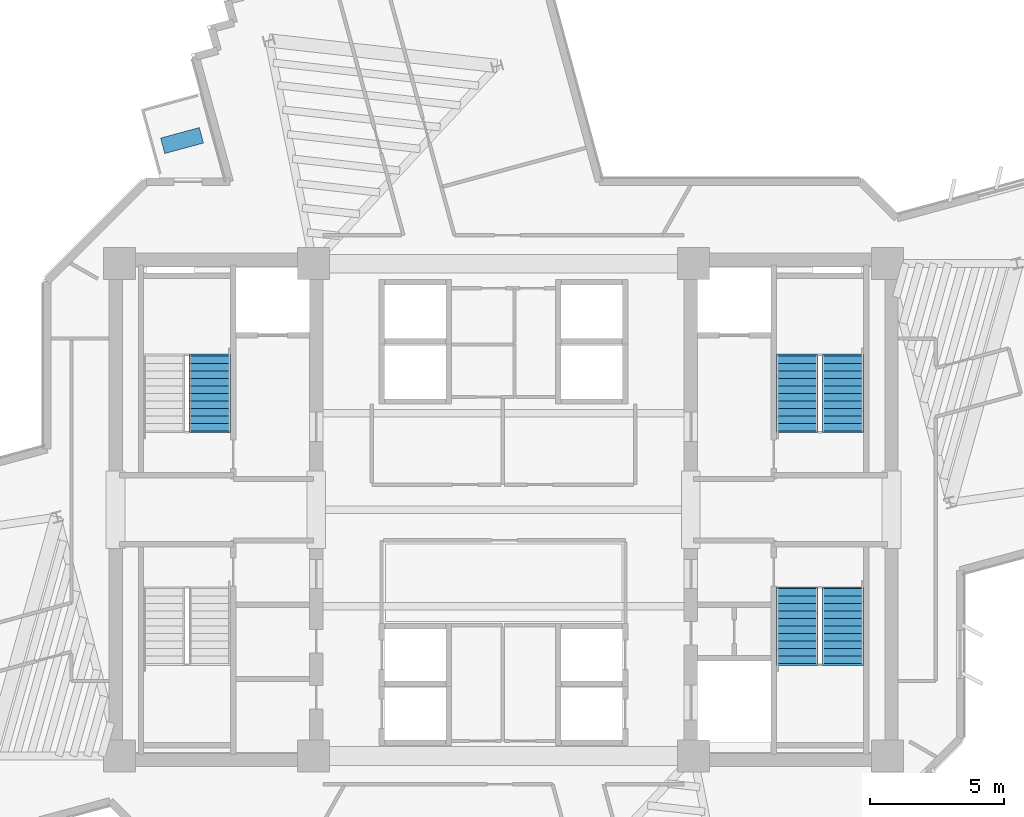
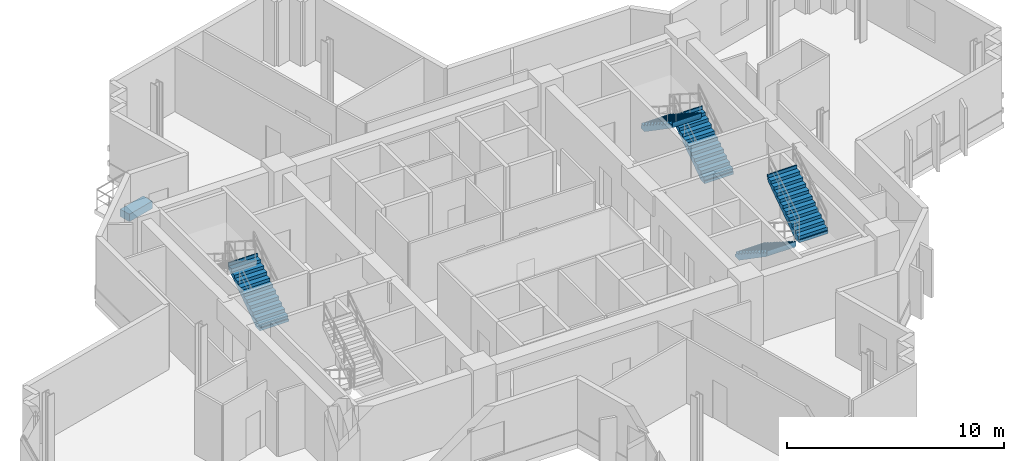
# One storey, part 12 of 15: 5 stair flights, 1 discrete accessory, 3 elements without a shape of their own.
"""IFC4 building model written with IfcOpenShell, lengths in metres."""

import ifcopenshell
import ifcopenshell.guid

model = None  # the IFC model being written
_history = None  # IfcOwnerHistory: only IFC2X3 demands one
_inside = {}  # id of a spatial element -> (the spatial element, [elements in it])
_under = {}  # id of a project, library or spatial element -> (it, [spatial elements below it])
_declared = {}  # id of a project -> (the project, [libraries it declares])
_typed = {}  # id of a type object -> (the type object, [elements of that type])
_made_of = {}  # id of a material, layer set ... -> (it, [elements and type objects made of it])


def new_model(schema):
    """Start an empty IFC model of exactly this schema.

    Asked for "IFC4X3", IfcOpenShell would pick the latest addendum, in which some entities
    have other attributes; the version numbers below select the first issue.
    IFC2X3 requires an IfcOwnerHistory on every rooted entity: one is made here for all.
    """
    global model, _history
    if schema == "IFC4X3":
        model = ifcopenshell.file(schema_version=(4, 3, 0, 0))
    else:
        model = ifcopenshell.file(schema=schema)
    _inside.clear()
    _under.clear()
    _declared.clear()
    _typed.clear()
    _made_of.clear()
    _history = None
    if model.schema == "IFC2X3":
        org = make("IfcOrganization", Name="unknown")
        user = make(
            "IfcPersonAndOrganization",
            ThePerson=make("IfcPerson", FamilyName="unknown"),
            TheOrganization=org,
        )
        app = make(
            "IfcApplication",
            ApplicationDeveloper=org,
            Version="unknown",
            ApplicationFullName="unknown",
            ApplicationIdentifier="unknown",
        )
        _history = make(
            "IfcOwnerHistory",
            OwningUser=user,
            OwningApplication=app,
            ChangeAction="ADDED",
            CreationDate=0,
        )
    return model


def make(cls, **values):
    """One entity of the class cls with the attributes given. An attribute that is None is left unset."""
    return model.create_entity(
        cls, **{name: value for name, value in values.items() if value is not None}
    )


def rooted(cls, **values):
    """An entity with a GlobalId (a new one), such as an element, a storey or a relation."""
    return make(cls, GlobalId=ifcopenshell.guid.new(), OwnerHistory=_history, **values)


def si_unit(unit_type, name, prefix=None):
    """IfcSIUnit, for example si_unit("LENGTHUNIT", "METRE", prefix="MILLI")."""
    return make("IfcSIUnit", UnitType=unit_type, Prefix=prefix, Name=name)


def assignment(units):
    """IfcUnitAssignment: the units of a project."""
    return None if units is None else make("IfcUnitAssignment", Units=units)


def point(xyz):
    """IfcCartesianPoint."""
    return None if xyz is None else make("IfcCartesianPoint", Coordinates=xyz)


def direction(xyz):
    """IfcDirection."""
    return None if xyz is None else make("IfcDirection", DirectionRatios=xyz)


def frame(location, z_axis=None, x_axis=None):
    """IfcAxis2Placement3D, a coordinate frame: its origin and axes. An axis left out is left unset."""
    return make(
        "IfcAxis2Placement3D",
        Location=point(location),
        Axis=direction(z_axis),
        RefDirection=direction(x_axis),
    )


def frame_2d(location, x_axis=None):
    """IfcAxis2Placement2D, a coordinate frame in the plane: its origin and x axis."""
    return make(
        "IfcAxis2Placement2D", Location=point(location), RefDirection=direction(x_axis)
    )


def origin():
    """The frame at (0, 0, 0) with its axes left unset."""
    return frame((0.0, 0.0, 0.0))


def origin_2d():
    """The frame at (0, 0) in the plane with its x axis left unset."""
    return frame_2d((0.0, 0.0))


def place(relative_to, where):
    """IfcLocalPlacement: puts the frame where relative to a parent placement (None: the world)."""
    return make(
        "IfcLocalPlacement", PlacementRelTo=relative_to, RelativePlacement=where
    )


def context(
    kind, dimensions, precision=None, world=None, true_north=None, identifier=None
):
    """IfcGeometricRepresentationContext, for example the 3D "Model" context."""
    return make(
        "IfcGeometricRepresentationContext",
        ContextIdentifier=identifier,
        ContextType=kind,
        CoordinateSpaceDimension=dimensions,
        Precision=precision,
        WorldCoordinateSystem=world,
        TrueNorth=true_north,
    )


def subcontext(parent, identifier, kind, view, scale=None):
    """IfcGeometricRepresentationSubContext, for example "Body" below "Model"."""
    return make(
        "IfcGeometricRepresentationSubContext",
        ContextIdentifier=identifier,
        ContextType=kind,
        ParentContext=parent,
        TargetScale=scale,
        TargetView=view,
    )


def project(units=None, contexts=None):
    """IfcProject with its units and contexts."""
    return rooted(
        "IfcProject",
        Name="project",
        RepresentationContexts=contexts,
        UnitsInContext=assignment(units),
    )


def spatial(cls, under=None, at=None, **own):
    """A site, building, storey or space (cls), placed at a placement, below another one or the project."""
    s = rooted(cls, ObjectPlacement=at, **own)
    if under is not None:
        _under.setdefault(under.id(), (under, []))[1].append(s)
    return s


def polyline(points):
    """IfcPolyline through the points."""
    return make("IfcPolyline", Points=[point(p) for p in points])


def profile(cls, at=None, kind="AREA", **sizes):
    """A parametric profile (cls). Its sizes go by their IFC names, for example OverallWidth=200.0."""
    return make(cls, ProfileType=kind, Position=at, **sizes)


def rectangle(**sizes):
    """IfcRectangleProfileDef."""
    return profile("IfcRectangleProfileDef", **sizes)


def outline(outer, holes=None, kind="AREA"):
    """IfcArbitraryClosedProfileDef: a profile drawn as a closed curve; with holes, ...WithVoids."""
    if holes is None:
        return make("IfcArbitraryClosedProfileDef", ProfileType=kind, OuterCurve=outer)
    return make(
        "IfcArbitraryProfileDefWithVoids",
        ProfileType=kind,
        OuterCurve=outer,
        InnerCurves=holes,
    )


def extrude(swept, where, along, depth):
    """IfcExtrudedAreaSolid: the profile swept, set in the frame where, extruded along a direction by depth."""
    return make(
        "IfcExtrudedAreaSolid",
        SweptArea=swept,
        Position=where,
        ExtrudedDirection=direction(along),
        Depth=depth,
    )


def shape(context_of_items, identifier, shape_type, items):
    """IfcShapeRepresentation: the items that make up one representation, for example the "Body"."""
    return make(
        "IfcShapeRepresentation",
        ContextOfItems=context_of_items,
        RepresentationIdentifier=identifier,
        RepresentationType=shape_type,
        Items=items,
    )


def source(mapping_origin, context_of_items, identifier, shape_type, items):
    """IfcRepresentationMap: a shape defined once, which mapped items show again and again."""
    return make(
        "IfcRepresentationMap",
        MappingOrigin=mapping_origin,
        MappedRepresentation=shape(context_of_items, identifier, shape_type, items),
    )


def transform(
    local_origin,
    x_axis=None,
    y_axis=None,
    z_axis=None,
    scale=None,
    scale2=None,
    scale3=None,
    uniform=True,
):
    """IfcCartesianTransformationOperator3D, or its non-uniform kind. x_axis, y_axis, z_axis: its Axis1, 2, 3."""
    if uniform:
        return make(
            "IfcCartesianTransformationOperator3D",
            Axis1=direction(x_axis),
            Axis2=direction(y_axis),
            LocalOrigin=point(local_origin),
            Scale=scale,
            Axis3=direction(z_axis),
        )
    return make(
        "IfcCartesianTransformationOperator3DnonUniform",
        Axis1=direction(x_axis),
        Axis2=direction(y_axis),
        LocalOrigin=point(local_origin),
        Scale=scale,
        Axis3=direction(z_axis),
        Scale2=scale2,
        Scale3=scale3,
    )


def mapped(mapping_source, mapping_target):
    """IfcMappedItem: shows the shape of a source again, moved by a transform."""
    return make(
        "IfcMappedItem", MappingSource=mapping_source, MappingTarget=mapping_target
    )


def material(Name=None, Category=None):
    """IfcMaterial."""
    return make("IfcMaterial", Name=Name, Category=Category)


def made_of(thing, what):
    """Note that an element or type object is made of a material, layer set ...; save() writes the relation."""
    if what is not None:
        _made_of.setdefault(what.id(), (what, []))[1].append(thing)
    return thing


def type_object(cls, material=None, **own):
    """A type object (cls), such as IfcWallType, which elements share."""
    return made_of(rooted(cls, **own), material)


def element(
    cls,
    number,
    at=None,
    inside=None,
    cuts=None,
    type_object=None,
    material=None,
    context=None,
    identifier="Body",
    shape_type=None,
    held_by="IfcProductDefinitionShape",
    body=None,
    shapes=None,
    **own,
):
    """One element of the class cls, such as IfcWall. Its Tag is "e" and its number.

    at: its placement. inside: the storey or other place that contains it. cuts: it is an
    opening in that element (IfcRelVoidsElement). A single representation is given by context,
    identifier, shape_type and body (its items); several are given by shapes. held_by: the class
    of the entity that holds the representations. save() writes the other relations.
    """
    e = rooted(cls, Tag="e%d" % number, ObjectPlacement=at, **own)
    if body is not None:
        shapes = [shape(context, identifier, shape_type, body)]
    if shapes is not None:
        e.Representation = make(held_by, Representations=shapes)
    if inside is not None:
        _inside.setdefault(inside.id(), (inside, []))[1].append(e)
    if cuts is not None:
        rooted(
            "IfcRelVoidsElement", RelatingBuildingElement=cuts, RelatedOpeningElement=e
        )
    if type_object is not None:
        _typed.setdefault(type_object.id(), (type_object, []))[1].append(e)
    return made_of(e, material)


def aggregate(whole, parts):
    """IfcRelAggregates: a whole, such as a stair, and the parts it consists of."""
    return rooted("IfcRelAggregates", RelatingObject=whole, RelatedObjects=parts)


def save(model, path):
    """Write the relations noted so far, then the file.

    IfcRelAggregates (storeys below a building ...), IfcRelContainedInSpatialStructure (elements
    in a storey), IfcRelDefinesByType, IfcRelAssociatesMaterial and IfcRelDeclares: one each for
    every whole, place, type object, material and project.
    """
    for whole, parts in _under.values():
        aggregate(whole, parts)
    for where, things in _inside.values():
        rooted(
            "IfcRelContainedInSpatialStructure",
            RelatedElements=things,
            RelatingStructure=where,
        )
    for kind, things in _typed.values():
        rooted("IfcRelDefinesByType", RelatedObjects=things, RelatingType=kind)
    for what, things in _made_of.values():
        rooted("IfcRelAssociatesMaterial", RelatedObjects=things, RelatingMaterial=what)
    for by, libraries in _declared.values():
        rooted("IfcRelDeclares", RelatingContext=by, RelatedDefinitions=libraries)
    model.write(path)


model = new_model("IFC4")

# Units and contexts
model_context = context("Model", 3, precision=1e-05, world=origin(), true_north=direction((0.0, 1.0)))
body_context = subcontext(model_context, "Body", "Model", "MODEL_VIEW")
ifc_project = project(units=[si_unit("LENGTHUNIT", "METRE"), si_unit("AREAUNIT", "SQUARE_METRE"), si_unit("VOLUMEUNIT", "CUBIC_METRE"), si_unit("PLANEANGLEUNIT", "RADIAN"), si_unit("MASSUNIT", "GRAM", prefix="KILO")], contexts=[model_context])

# Site, building, storey
site_placement = place(None, origin())
site = spatial("IfcSite", under=ifc_project, at=site_placement, CompositionType="ELEMENT")
building_placement = place(site_placement, origin())
building = spatial("IfcBuilding", under=site, at=building_placement, Name="Zahravan Cultural Tower", CompositionType="ELEMENT")
storey_placement = place(building_placement, frame((0.0, 0.0, 198.0)))
storey = spatial("IfcBuildingStorey", under=building, at=storey_placement, Name="L46", CompositionType="ELEMENT", Elevation=198.0)

# Stair, stair flight
ifc_material_1 = material(Name="Concrete C45/55", Category="concrete")
stair_type = type_object("IfcStairType", Name="STR-DL-1550-390", PredefinedType="HALF_TURN_STAIR", material=ifc_material_1)
stair_1_placement = place(storey_placement, origin())
stair_1 = element("IfcStair", 1, at=stair_1_placement, inside=storey, type_object=stair_type, Name="L46 West Core North Exit Stair ST-W1", PredefinedType="HALF_TURN_STAIR")
stair_flight_type = type_object("IfcStairFlightType", Name="FLG-DL-1550-390", PredefinedType="STRAIGHT", material=ifc_material_1)
stair_flight_1_placement = place(storey_placement, frame((25.02490234375, 29.949951171875, 0.0), z_axis=(0.0, 0.0, 1.0), x_axis=(0.0, 1.0, 0.0)))
stair_flight_1 = element("IfcStairFlight", 2, at=stair_flight_1_placement, type_object=stair_flight_type, Name="ST-W1 flight 1", NumberOfRisers=11, NumberOfTreads=10, PredefinedType="STRAIGHT", RiserHeight=0.177272727, TreadLength=0.28, context=body_context, shape_type="SweptSolid", body=[
    extrude(outline(polyline([(-0.06494140625, -0.139892578125), (-0.06494140625, 0.0), (0.0, 0.0), (0.0, 0.17724609375), (0.280029296875, 0.17724609375), (0.280029296875, 0.3544921875), (0.56005859375, 0.3544921875), (0.56005859375, 0.53173828125), (0.840087890625, 0.53173828125), (0.840087890625, 0.708984375), (1.1201171875, 0.708984375), (1.1201171875, 0.886474609375), (1.39990234375, 0.886474609375), (1.39990234375, 1.063720703125), (1.679931640625, 1.063720703125), (1.679931640625, 1.240966796875), (1.9599609375, 1.240966796875), (1.9599609375, 1.418212890625), (2.239990234375, 1.418212890625), (2.239990234375, 1.595458984375), (2.52001953125, 1.595458984375), (2.52001953125, 1.772705078125), (2.800048828125, 1.772705078125), (2.800048828125, 1.949951171875), (2.864990234375, 1.949951171875), (2.864990234375, 1.800048828125), (2.800048828125, 1.59521484375), (0.2802734375, -0.139892578125), (-0.06494140625, -0.139892578125)])), frame((0.0, 0.77490234375, 0.0), z_axis=(0.0, -1.0, 0.0), x_axis=(1.0, 0.0, 0.0)), (0.0, 0.0, 1.0), 1.550048828125),
])
aggregate(stair_1, [stair_flight_1])

# Stair, stair flights
stair_2_placement = place(storey_placement, origin())
stair_2 = element("IfcStair", 3, at=stair_2_placement, inside=storey, type_object=stair_type, Name="L46 East Core North Exit Stair ST-E1", PredefinedType="HALF_TURN_STAIR")
stair_flight_2_placement = place(storey_placement, frame((48.675048828125, 29.949951171875, 0.0), z_axis=(0.0, 0.0, 1.0), x_axis=(0.0, 1.0, 0.0)))
stair_flight_2 = element("IfcStairFlight", 4, at=stair_flight_2_placement, type_object=stair_flight_type, Name="ST-E1 flight 1", NumberOfRisers=11, NumberOfTreads=10, PredefinedType="STRAIGHT", RiserHeight=0.177272727, TreadLength=0.28, context=body_context, shape_type="SweptSolid", body=[
    extrude(outline(polyline([(-0.06494140625, -0.139892578125), (-0.06494140625, 0.0), (0.0, 0.0), (0.0, 0.17724609375), (0.280029296875, 0.17724609375), (0.280029296875, 0.3544921875), (0.56005859375, 0.3544921875), (0.56005859375, 0.53173828125), (0.840087890625, 0.53173828125), (0.840087890625, 0.708984375), (1.1201171875, 0.708984375), (1.1201171875, 0.886474609375), (1.39990234375, 0.886474609375), (1.39990234375, 1.063720703125), (1.679931640625, 1.063720703125), (1.679931640625, 1.240966796875), (1.9599609375, 1.240966796875), (1.9599609375, 1.418212890625), (2.239990234375, 1.418212890625), (2.239990234375, 1.595458984375), (2.52001953125, 1.595458984375), (2.52001953125, 1.772705078125), (2.800048828125, 1.772705078125), (2.800048828125, 1.949951171875), (2.864990234375, 1.949951171875), (2.864990234375, 1.800048828125), (2.800048828125, 1.59521484375), (0.2802734375, -0.139892578125), (-0.06494140625, -0.139892578125)])), frame((0.0, 0.77490234375, 0.0), z_axis=(0.0, -1.0, 0.0), x_axis=(1.0, 0.0, 0.0)), (0.0, 0.0, 1.0), 1.550048828125),
])
stair_flight_3_placement = place(storey_placement, frame((46.97509765625, 32.75, 1.949951171875), z_axis=(0.0, 0.0, 1.0), x_axis=(0.0, -1.0, 0.0)))
stair_flight_3 = element("IfcStairFlight", 5, at=stair_flight_3_placement, type_object=stair_flight_type, Name="ST-E1 flight 2", NumberOfRisers=11, NumberOfTreads=10, PredefinedType="STRAIGHT", RiserHeight=0.177272727, TreadLength=0.28, context=body_context, shape_type="SweptSolid", body=[
    extrude(outline(polyline([(-0.06494140625, -0.139892578125), (-0.06494140625, 0.0), (0.0, 0.0), (0.0, 0.17724609375), (0.280029296875, 0.17724609375), (0.280029296875, 0.3544921875), (0.56005859375, 0.3544921875), (0.56005859375, 0.53173828125), (0.840087890625, 0.53173828125), (0.840087890625, 0.708984375), (1.1201171875, 0.708984375), (1.1201171875, 0.886474609375), (1.39990234375, 0.886474609375), (1.39990234375, 1.063720703125), (1.679931640625, 1.063720703125), (1.679931640625, 1.240966796875), (1.9599609375, 1.240966796875), (1.9599609375, 1.418212890625), (2.239990234375, 1.418212890625), (2.239990234375, 1.595458984375), (2.52001953125, 1.595458984375), (2.52001953125, 1.772705078125), (2.800048828125, 1.772705078125), (2.800048828125, 1.949951171875), (2.864990234375, 1.949951171875), (2.864990234375, 1.800048828125), (2.800048828125, 1.59521484375), (0.2802734375, -0.139892578125), (-0.06494140625, -0.139892578125)])), frame((0.0, 0.77490234375, 0.0), z_axis=(0.0, -1.0, 0.0), x_axis=(1.0, 0.0, 0.0)), (0.0, 0.0, 1.0), 1.550048828125),
])
aggregate(stair_2, [stair_flight_2, stair_flight_3])

stair_3_placement = place(storey_placement, origin())
stair_3 = element("IfcStair", 6, at=stair_3_placement, inside=storey, type_object=stair_type, Name="L46 East Core South Exit Stair ST-E2", PredefinedType="HALF_TURN_STAIR")
stair_flight_4_placement = place(storey_placement, frame((46.97509765625, 24.050048828125, 0.0), z_axis=(0.0, 0.0, 1.0), x_axis=(0.0, -1.0, 0.0)))
stair_flight_4 = element("IfcStairFlight", 7, at=stair_flight_4_placement, type_object=stair_flight_type, Name="ST-E2 flight 1", NumberOfRisers=11, NumberOfTreads=10, PredefinedType="STRAIGHT", RiserHeight=0.177272727, TreadLength=0.28, context=body_context, shape_type="SweptSolid", body=[
    extrude(outline(polyline([(-0.06494140625, -0.139892578125), (-0.06494140625, 0.0), (0.0, 0.0), (0.0, 0.17724609375), (0.280029296875, 0.17724609375), (0.280029296875, 0.3544921875), (0.56005859375, 0.3544921875), (0.56005859375, 0.53173828125), (0.840087890625, 0.53173828125), (0.840087890625, 0.708984375), (1.1201171875, 0.708984375), (1.1201171875, 0.886474609375), (1.39990234375, 0.886474609375), (1.39990234375, 1.063720703125), (1.679931640625, 1.063720703125), (1.679931640625, 1.240966796875), (1.9599609375, 1.240966796875), (1.9599609375, 1.418212890625), (2.239990234375, 1.418212890625), (2.239990234375, 1.595458984375), (2.52001953125, 1.595458984375), (2.52001953125, 1.772705078125), (2.800048828125, 1.772705078125), (2.800048828125, 1.949951171875), (2.864990234375, 1.949951171875), (2.864990234375, 1.800048828125), (2.800048828125, 1.59521484375), (0.2802734375, -0.139892578125), (-0.06494140625, -0.139892578125)])), frame((0.0, 0.77490234375, 0.0), z_axis=(0.0, -1.0, 0.0), x_axis=(1.0, 0.0, 0.0)), (0.0, 0.0, 1.0), 1.550048828125),
])
stair_flight_5_placement = place(storey_placement, frame((48.675048828125, 21.25, 1.949951171875), z_axis=(0.0, 0.0, 1.0), x_axis=(0.0, 1.0, 0.0)))
stair_flight_5 = element("IfcStairFlight", 8, at=stair_flight_5_placement, type_object=stair_flight_type, Name="ST-E2 flight 2", NumberOfRisers=11, NumberOfTreads=10, PredefinedType="STRAIGHT", RiserHeight=0.177272727, TreadLength=0.28, context=body_context, shape_type="SweptSolid", body=[
    extrude(outline(polyline([(-0.06494140625, -0.139892578125), (-0.06494140625, 0.0), (0.0, 0.0), (0.0, 0.17724609375), (0.280029296875, 0.17724609375), (0.280029296875, 0.3544921875), (0.56005859375, 0.3544921875), (0.56005859375, 0.53173828125), (0.840087890625, 0.53173828125), (0.840087890625, 0.708984375), (1.1201171875, 0.708984375), (1.1201171875, 0.886474609375), (1.39990234375, 0.886474609375), (1.39990234375, 1.063720703125), (1.679931640625, 1.063720703125), (1.679931640625, 1.240966796875), (1.9599609375, 1.240966796875), (1.9599609375, 1.418212890625), (2.239990234375, 1.418212890625), (2.239990234375, 1.595458984375), (2.52001953125, 1.595458984375), (2.52001953125, 1.772705078125), (2.800048828125, 1.772705078125), (2.800048828125, 1.949951171875), (2.864990234375, 1.949951171875), (2.864990234375, 1.800048828125), (2.800048828125, 1.59521484375), (0.2802734375, -0.139892578125), (-0.06494140625, -0.139892578125)])), frame((0.0, 0.77490234375, 0.0), z_axis=(0.0, -1.0, 0.0), x_axis=(1.0, 0.0, 0.0)), (0.0, 0.0, 1.0), 1.550048828125),
])
aggregate(stair_3, [stair_flight_4, stair_flight_5])

# Discrete accessory
ifc_material_2 = material(Name="Planted soil and terracotta planter", Category="masonry")
discrete_accessory_type = type_object("IfcDiscreteAccessoryType", Name="ACC-PLANTER-TC", PredefinedType="USERDEFINED", material=ifc_material_2)
shared_shape = source(origin(), body_context, "Body", "SweptSolid", [
    extrude(rectangle(XDim=1.5, YDim=0.60009765625, at=origin_2d()), origin(), (0.0, 0.0, 1.0), 0.419921875),
])
discrete_accessory_placement = place(storey_placement, frame((23.98388671875, 40.799560546875, 0.0), z_axis=(0.0, 0.0, 1.0), x_axis=(0.965016494472, 0.262189178641, 0.0)))
element("IfcDiscreteAccessory", 9, at=discrete_accessory_placement, inside=storey, type_object=discrete_accessory_type, Name="L46 Terracotta Sculpture Planter NW", ObjectType="PLANTER", PredefinedType="USERDEFINED", context=body_context, shape_type="MappedRepresentation", body=[
    mapped(shared_shape, transform((0.0, 0.0, 0.0), x_axis=(1.0, 0.0, 0.0), y_axis=(0.0, 1.0, 0.0), z_axis=(0.0, 0.0, 1.0), scale=1.0)),
])

save(model, "model.ifc")
